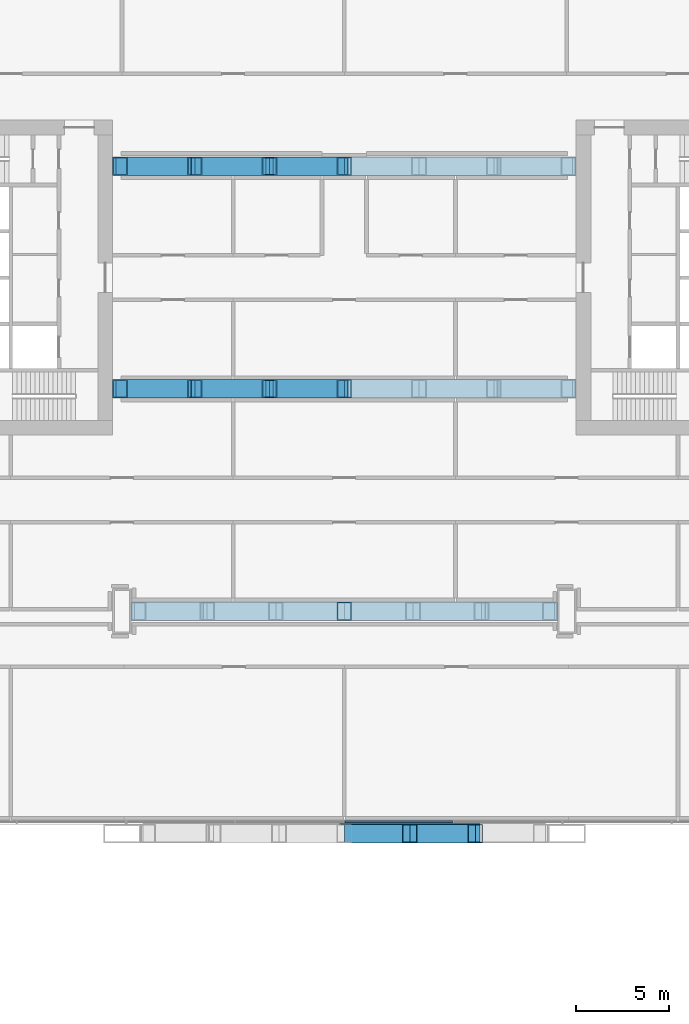
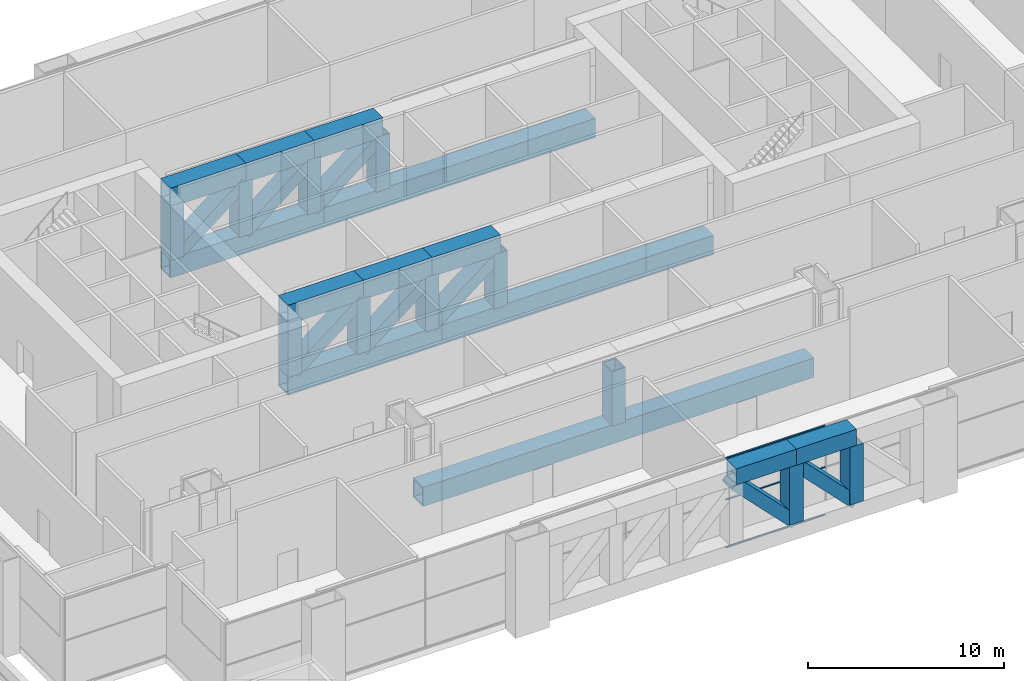
# One storey, part 8 of 27: 22 members, 11 beams, 1 element without a shape of its own.
"""IFC4 building model written with IfcOpenShell, lengths in metres."""

from ifc_helpers import new_model, si_unit, direction, frame, origin, origin_2d, place, context, subcontext, project, spatial, rectangle, hollow_rectangle, extrude, material, material_profile, profile_set, type_object, element, aggregate, save


model = new_model("IFC4")

# Units and contexts
model_context = context("Model", 3, precision=1e-05, world=origin(), true_north=direction((0.0, 1.0)))
body_context = subcontext(model_context, "Body", "Model", "MODEL_VIEW")
ifc_project = project(units=[si_unit("LENGTHUNIT", "METRE"), si_unit("AREAUNIT", "SQUARE_METRE"), si_unit("VOLUMEUNIT", "CUBIC_METRE"), si_unit("PLANEANGLEUNIT", "RADIAN"), si_unit("MASSUNIT", "GRAM", prefix="KILO")], contexts=[model_context])

# Site, building, storey
site_placement = place(None, origin())
site = spatial("IfcSite", under=ifc_project, at=site_placement, CompositionType="ELEMENT")
building_placement = place(site_placement, origin())
building = spatial("IfcBuilding", under=site, at=building_placement, Name="Kitamizu Gate Tower and Museum", CompositionType="ELEMENT")
storey_placement = place(building_placement, frame((0.0, 0.0, 24.0)))
storey = spatial("IfcBuildingStorey", under=building, at=storey_placement, Name="L04", CompositionType="ELEMENT", Elevation=24.0)

# Curtain wall, members
ifc_material_1 = material(Name="Bronze anodised aluminium frame, insulated panels", Category="aluminium")
curtain_wall_type = type_object("IfcCurtainWallType", Name="CURTAIN WALL TYPE F TRANSFER STOREY INSULATED", PredefinedType="NOTDEFINED", material=ifc_material_1)
curtain_wall_placement = place(storey_placement, origin())
curtain_wall = element("IfcCurtainWall", 1, at=curtain_wall_placement, inside=storey, type_object=curtain_wall_type, Name="Curtain wall CW-FI south L04 part 2", PredefinedType="NOTDEFINED")
ifc_material_2 = material(Name="Bronze anodised aluminium", Category="aluminium")
ifc_material_profile_1 = material_profile(ifc_material_2, rectangle(XDim=0.10009765625, YDim=0.06005859375, at=origin_2d()), Name="AL 60X100")
ifc_profile_set_1 = profile_set([ifc_material_profile_1], Name="Bronze anodised aluminium")
member_type_1 = type_object("IfcMemberType", Name="TRANSOM 60 X 100 TYPE F", PredefinedType="USERDEFINED", material=ifc_profile_set_1)
member_1_placement = place(storey_placement, frame((36.02490234375, 0.635009765625, 0.030029296875), z_axis=(1.0, 0.0, 0.0), x_axis=(0.0, 1.0, 0.0)))
member_1 = element("IfcMember", 2, at=member_1_placement, type_object=member_type_1, Name="CW-FI transom 3.1", ObjectType="TRANSOM", PredefinedType="USERDEFINED", context=body_context, shape_type="SweptSolid", body=[
    extrude(rectangle(XDim=0.10009765625, YDim=0.06005859375, at=origin_2d()), origin(), (0.0, 0.0, 1.0), 5.838134765625),
])
member_2_placement = place(storey_placement, frame((36.02490234375, 0.635009765625, 3.0), z_axis=(1.0, 0.0, 0.0), x_axis=(0.0, 1.0, 0.0)))
member_2 = element("IfcMember", 3, at=member_2_placement, type_object=member_type_1, Name="CW-FI transom 3.2", ObjectType="TRANSOM", PredefinedType="USERDEFINED", context=body_context, shape_type="SweptSolid", body=[
    extrude(rectangle(XDim=0.10009765625, YDim=0.06005859375, at=origin_2d()), origin(), (0.0, 0.0, 1.0), 5.838134765625),
])
member_3_placement = place(storey_placement, frame((36.02490234375, 0.635009765625, 5.570068359375), z_axis=(1.0, 0.0, 0.0), x_axis=(0.0, 1.0, 0.0)))
member_3 = element("IfcMember", 4, at=member_3_placement, type_object=member_type_1, Name="CW-FI transom 3.3", ObjectType="TRANSOM", PredefinedType="USERDEFINED", context=body_context, shape_type="SweptSolid", body=[
    extrude(rectangle(XDim=0.10009765625, YDim=0.06005859375, at=origin_2d()), origin(), (0.0, 0.0, 1.0), 5.838134765625),
])
aggregate(curtain_wall, [member_1, member_2, member_3])

# Beams
ifc_material_3 = material(Name="Steel SM490A", Category="steel")
ifc_material_profile_2 = material_profile(ifc_material_3, hollow_rectangle(XDim=1.0, YDim=1.199951171875, WallThickness=0.080078125, at=origin_2d()), Name="BOX 1000x1200x80")
ifc_profile_set_2 = profile_set([ifc_material_profile_2], Name="Steel SM490A")
beam_type_1 = type_object("IfcBeamType", Name="Transfer truss chord TTA1 BOX 1000x1200x80", PredefinedType="BEAM", material=ifc_profile_set_2)
beam_1_placement = place(storey_placement, frame((24.5, 12.0, 0.60009765625), z_axis=(1.0, 0.0, 0.0), x_axis=(0.0, 1.0, 0.0)))
element("IfcBeam", 5, at=beam_1_placement, inside=storey, type_object=beam_type_1, Name="Transfer truss bottom chord y12", PredefinedType="BEAM", context=body_context, shape_type="SweptSolid", body=[
    extrude(hollow_rectangle(XDim=1.0, YDim=1.199951171875, WallThickness=0.080078125, at=origin_2d()), origin(), (0.0, 0.0, 1.0), 23.0),
])
beam_2_placement = place(storey_placement, frame((23.5, 24.0, 5.0), z_axis=(1.0, 0.0, 0.0), x_axis=(0.0, 1.0, 0.0)))
element("IfcBeam", 6, at=beam_2_placement, inside=storey, type_object=beam_type_1, Name="Transfer truss top chord y24-1", PredefinedType="BEAM", context=body_context, shape_type="SweptSolid", body=[
    extrude(hollow_rectangle(XDim=1.0, YDim=1.199951171875, WallThickness=0.080078125, at=origin_2d()), origin(), (0.0, 0.0, 1.0), 4.433349609375),
])
beam_3_placement = place(storey_placement, frame((27.933349609375, 24.0, 5.0), z_axis=(1.0, 0.0, 0.0), x_axis=(0.0, 1.0, 0.0)))
element("IfcBeam", 7, at=beam_3_placement, inside=storey, type_object=beam_type_1, Name="Transfer truss top chord y24-2", PredefinedType="BEAM", context=body_context, shape_type="SweptSolid", body=[
    extrude(hollow_rectangle(XDim=1.0, YDim=1.199951171875, WallThickness=0.080078125, at=origin_2d()), origin(), (0.0, 0.0, 1.0), 4.033203125),
])
beam_4_placement = place(storey_placement, frame((31.966552734375, 24.0, 5.0), z_axis=(1.0, 0.0, 0.0), x_axis=(0.0, 1.0, 0.0)))
element("IfcBeam", 8, at=beam_4_placement, inside=storey, type_object=beam_type_1, Name="Transfer truss top chord y24-3", PredefinedType="BEAM", context=body_context, shape_type="SweptSolid", body=[
    extrude(hollow_rectangle(XDim=1.0, YDim=1.199951171875, WallThickness=0.080078125, at=origin_2d()), origin(), (0.0, 0.0, 1.0), 4.033447265625),
])
beam_5_placement = place(storey_placement, frame((23.5, 24.0, 0.60009765625), z_axis=(1.0, 0.0, 0.0), x_axis=(0.0, 1.0, 0.0)))
element("IfcBeam", 9, at=beam_5_placement, inside=storey, type_object=beam_type_1, Name="Transfer truss bottom chord y24", PredefinedType="BEAM", context=body_context, shape_type="SweptSolid", body=[
    extrude(hollow_rectangle(XDim=1.0, YDim=1.199951171875, WallThickness=0.080078125, at=origin_2d()), origin(), (0.0, 0.0, 1.0), 25.0),
])
beam_6_placement = place(storey_placement, frame((23.5, 36.0, 5.0), z_axis=(1.0, 0.0, 0.0), x_axis=(0.0, 1.0, 0.0)))
element("IfcBeam", 10, at=beam_6_placement, inside=storey, type_object=beam_type_1, Name="Transfer truss top chord y36-1", PredefinedType="BEAM", context=body_context, shape_type="SweptSolid", body=[
    extrude(hollow_rectangle(XDim=1.0, YDim=1.199951171875, WallThickness=0.080078125, at=origin_2d()), origin(), (0.0, 0.0, 1.0), 4.433349609375),
])
beam_7_placement = place(storey_placement, frame((27.933349609375, 36.0, 5.0), z_axis=(1.0, 0.0, 0.0), x_axis=(0.0, 1.0, 0.0)))
element("IfcBeam", 11, at=beam_7_placement, inside=storey, type_object=beam_type_1, Name="Transfer truss top chord y36-2", PredefinedType="BEAM", context=body_context, shape_type="SweptSolid", body=[
    extrude(hollow_rectangle(XDim=1.0, YDim=1.199951171875, WallThickness=0.080078125, at=origin_2d()), origin(), (0.0, 0.0, 1.0), 4.033203125),
])
beam_8_placement = place(storey_placement, frame((31.966552734375, 36.0, 5.0), z_axis=(1.0, 0.0, 0.0), x_axis=(0.0, 1.0, 0.0)))
element("IfcBeam", 12, at=beam_8_placement, inside=storey, type_object=beam_type_1, Name="Transfer truss top chord y36-3", PredefinedType="BEAM", context=body_context, shape_type="SweptSolid", body=[
    extrude(hollow_rectangle(XDim=1.0, YDim=1.199951171875, WallThickness=0.080078125, at=origin_2d()), origin(), (0.0, 0.0, 1.0), 4.033447265625),
])
beam_9_placement = place(storey_placement, frame((23.5, 36.0, 0.60009765625), z_axis=(1.0, 0.0, 0.0), x_axis=(0.0, 1.0, 0.0)))
element("IfcBeam", 13, at=beam_9_placement, inside=storey, type_object=beam_type_1, Name="Transfer truss bottom chord y36", PredefinedType="BEAM", context=body_context, shape_type="SweptSolid", body=[
    extrude(hollow_rectangle(XDim=1.0, YDim=1.199951171875, WallThickness=0.080078125, at=origin_2d()), origin(), (0.0, 0.0, 1.0), 25.0),
])
ifc_material_4 = material(Name="Steel SM490A", Category="steel")
ifc_material_profile_3 = material_profile(ifc_material_4, hollow_rectangle(XDim=1.0, YDim=1.0, WallThickness=0.070068359375, at=origin_2d()), Name="BOX 1000x1000x70")
ifc_profile_set_3 = profile_set([ifc_material_profile_3], Name="Steel SM490A")
beam_type_2 = type_object("IfcBeamType", Name="Transfer truss chord TTB1 BOX 1000x1000x70", PredefinedType="BEAM", material=ifc_profile_set_3)
beam_10_placement = place(storey_placement, frame((36.0, 0.0, 5.10009765625), z_axis=(1.0, 0.0, 0.0), x_axis=(0.0, 1.0, 0.0)))
element("IfcBeam", 14, at=beam_10_placement, inside=storey, type_object=beam_type_2, Name="Transfer truss top chord y00-4", PredefinedType="BEAM", context=body_context, shape_type="SweptSolid", body=[
    extrude(hollow_rectangle(XDim=1.0, YDim=1.0, WallThickness=0.070068359375, at=origin_2d()), origin(), (0.0, 0.0, 1.0), 3.533447265625),
])
beam_11_placement = place(storey_placement, frame((39.533447265625, 0.0, 5.10009765625), z_axis=(1.0, 0.0, 0.0), x_axis=(0.0, 1.0, 0.0)))
element("IfcBeam", 15, at=beam_11_placement, inside=storey, type_object=beam_type_2, Name="Transfer truss top chord y00-5", PredefinedType="BEAM", context=body_context, shape_type="SweptSolid", body=[
    extrude(hollow_rectangle(XDim=1.0, YDim=1.0, WallThickness=0.070068359375, at=origin_2d()), origin(), (0.0, 0.0, 1.0), 3.533203125),
])

# Members
ifc_material_5 = material(Name="Steel SM490A", Category="steel")
ifc_material_profile_4 = material_profile(ifc_material_5, hollow_rectangle(XDim=1.0, YDim=0.699951171875, WallThickness=0.055908203125, at=origin_2d()), Name="BOX 1000x700x56")
ifc_profile_set_4 = profile_set([ifc_material_profile_4], Name="Steel SM490A")
member_type_2 = type_object("IfcMemberType", Name="Transfer truss diagonal TTA2 BOX 1000x700x56", PredefinedType="BRACE", material=ifc_profile_set_4)
member_4_placement = place(storey_placement, frame((23.89990234375, 24.0, 1.199951171875), z_axis=(0.783402140456, 0.0, 0.621515153741), x_axis=(0.0, 1.0, 0.0)))
element("IfcMember", 16, at=member_4_placement, inside=storey, type_object=member_type_2, Name="Transfer truss diagonal y24-1", PredefinedType="BRACE", context=body_context, shape_type="SweptSolid", body=[
    extrude(hollow_rectangle(XDim=1.0, YDim=0.699951171875, WallThickness=0.055908203125, at=origin_2d()), origin(), (0.0, 0.0, 1.0), 5.148681640625),
])
member_5_placement = place(storey_placement, frame((27.933349609375, 24.0, 1.199951171875), z_axis=(0.78338382254, 0.0, 0.621538242253), x_axis=(0.0, 1.0, 0.0)))
element("IfcMember", 17, at=member_5_placement, inside=storey, type_object=member_type_2, Name="Transfer truss diagonal y24-2", PredefinedType="BRACE", context=body_context, shape_type="SweptSolid", body=[
    extrude(hollow_rectangle(XDim=1.0, YDim=0.699951171875, WallThickness=0.055908203125, at=origin_2d()), origin(), (0.0, 0.0, 1.0), 5.1484375),
])
for number, where, z_axis, x_axis, name in (
    (18, (31.966552734375, 24.0, 1.199951171875), (0.783402140456, 0.0, 0.621515153741), (0.0, 1.0, 0.0), "Transfer truss diagonal y24-3"),
    (19, (23.89990234375, 36.0, 1.199951171875), (0.783402140456, 0.0, 0.621515153741), (0.0, 1.0, 0.0), "Transfer truss diagonal y36-1"),
):
    element("IfcMember", number, at=place(storey_placement, frame(where, z_axis=z_axis, x_axis=x_axis)), inside=storey, type_object=member_type_2, Name=name, PredefinedType="BRACE", context=body_context, shape_type="SweptSolid", body=[
        extrude(hollow_rectangle(XDim=1.0, YDim=0.699951171875, WallThickness=0.055908203125, at=origin_2d()), origin(), (0.0, 0.0, 1.0), 5.148681640625),
    ])
member_6_placement = place(storey_placement, frame((27.933349609375, 36.0, 1.199951171875), z_axis=(0.78338382254, 0.0, 0.621538242253), x_axis=(0.0, 1.0, 0.0)))
element("IfcMember", 20, at=member_6_placement, inside=storey, type_object=member_type_2, Name="Transfer truss diagonal y36-2", PredefinedType="BRACE", context=body_context, shape_type="SweptSolid", body=[
    extrude(hollow_rectangle(XDim=1.0, YDim=0.699951171875, WallThickness=0.055908203125, at=origin_2d()), origin(), (0.0, 0.0, 1.0), 5.1484375),
])
member_7_placement = place(storey_placement, frame((31.966552734375, 36.0, 1.199951171875), z_axis=(0.783402140456, 0.0, 0.621515153741), x_axis=(0.0, 1.0, 0.0)))
element("IfcMember", 21, at=member_7_placement, inside=storey, type_object=member_type_2, Name="Transfer truss diagonal y36-3", PredefinedType="BRACE", context=body_context, shape_type="SweptSolid", body=[
    extrude(hollow_rectangle(XDim=1.0, YDim=0.699951171875, WallThickness=0.055908203125, at=origin_2d()), origin(), (0.0, 0.0, 1.0), 5.148681640625),
])
ifc_material_6 = material(Name="Steel SM490A", Category="steel")
ifc_material_profile_5 = material_profile(ifc_material_6, hollow_rectangle(XDim=1.0, YDim=0.699951171875, WallThickness=0.044921875, at=origin_2d()), Name="BOX 1000x700x45")
ifc_profile_set_5 = profile_set([ifc_material_profile_5], Name="Steel SM490A")
member_type_3 = type_object("IfcMemberType", Name="Transfer truss diagonal TTB2 BOX 1000x700x45", PredefinedType="BRACE", material=ifc_profile_set_5)
member_8_placement = place(storey_placement, frame((39.533447265625, 0.044921875, 1.0), z_axis=(-0.700469542515, 0.0, 0.71368229627), x_axis=(0.0, -1.0, 0.0)))
element("IfcMember", 22, at=member_8_placement, inside=storey, type_object=member_type_3, Name="Transfer truss diagonal y00-4", PredefinedType="BRACE", context=body_context, shape_type="SweptSolid", body=[
    extrude(hollow_rectangle(XDim=1.0, YDim=0.699951171875, WallThickness=0.044921875, at=origin_2d()), origin(), (0.0, 0.0, 1.0), 5.04443359375),
])
member_9_placement = place(storey_placement, frame((43.066650390625, 0.044921875, 1.0), z_axis=(-0.70044488992, 0.0, 0.713706491623), x_axis=(0.0, -1.0, 0.0)))
element("IfcMember", 23, at=member_9_placement, inside=storey, type_object=member_type_3, Name="Transfer truss diagonal y00-5", PredefinedType="BRACE", context=body_context, shape_type="SweptSolid", body=[
    extrude(hollow_rectangle(XDim=1.0, YDim=0.699951171875, WallThickness=0.044921875, at=origin_2d()), origin(), (0.0, 0.0, 1.0), 5.044189453125),
])
ifc_material_7 = material(Name="Steel SM490A", Category="steel")
ifc_material_profile_6 = material_profile(ifc_material_7, hollow_rectangle(XDim=0.800048828125, YDim=1.0, WallThickness=0.055908203125, at=origin_2d()), Name="BOX 800x1000x56")
ifc_profile_set_6 = profile_set([ifc_material_profile_6], Name="Steel SM490A")
member_type_4 = type_object("IfcMemberType", Name="Transfer truss post TTA3 BOX 800x1000x56", PredefinedType="POST", material=ifc_profile_set_6)
for number, where, z_axis, x_axis, name in (
    (24, (36.0, 12.0, 1.10009765625), (0.0, 0.0, 1.0), (1.0, 0.0, 0.0), "Transfer truss post y12-4"),
    (25, (23.89990234375, 24.0, 1.10009765625), (0.0, 0.0, 1.0), (1.0, 0.0, 0.0), "Transfer truss post y24-1"),
    (26, (27.933349609375, 24.0, 1.10009765625), (0.0, 0.0, 1.0), (1.0, 0.0, 0.0), "Transfer truss post y24-2"),
    (27, (31.966552734375, 24.0, 1.10009765625), (0.0, 0.0, 1.0), (1.0, 0.0, 0.0), "Transfer truss post y24-3"),
    (28, (36.0, 24.0, 1.10009765625), (0.0, 0.0, 1.0), (1.0, 0.0, 0.0), "Transfer truss post y24-4"),
    (29, (23.89990234375, 36.0, 1.10009765625), (0.0, 0.0, 1.0), (1.0, 0.0, 0.0), "Transfer truss post y36-1"),
    (30, (27.933349609375, 36.0, 1.10009765625), (0.0, 0.0, 1.0), (1.0, 0.0, 0.0), "Transfer truss post y36-2"),
    (31, (31.966552734375, 36.0, 1.10009765625), (0.0, 0.0, 1.0), (1.0, 0.0, 0.0), "Transfer truss post y36-3"),
    (32, (36.0, 36.0, 1.10009765625), (0.0, 0.0, 1.0), (1.0, 0.0, 0.0), "Transfer truss post y36-4"),
):
    element("IfcMember", number, at=place(storey_placement, frame(where, z_axis=z_axis, x_axis=x_axis)), inside=storey, type_object=member_type_4, Name=name, PredefinedType="POST", context=body_context, shape_type="SweptSolid", body=[
        extrude(hollow_rectangle(XDim=0.800048828125, YDim=1.0, WallThickness=0.055908203125, at=origin_2d()), origin(), (0.0, 0.0, 1.0), 3.39990234375),
    ])
ifc_material_8 = material(Name="Steel SM490A", Category="steel")
ifc_material_profile_7 = material_profile(ifc_material_8, hollow_rectangle(XDim=0.800048828125, YDim=1.0, WallThickness=0.044921875, at=origin_2d()), Name="BOX 800x1000x45")
ifc_profile_set_7 = profile_set([ifc_material_profile_7], Name="Steel SM490A")
member_type_5 = type_object("IfcMemberType", Name="Transfer truss post TTB3 BOX 800x1000x45", PredefinedType="POST", material=ifc_profile_set_7)
for number, where, z_axis, x_axis, name in (
    (33, (39.533447265625, 0.0, 1.0), (0.0, 0.0, 1.0), (1.0, 0.0, 0.0), "Transfer truss post y00-5"),
    (34, (43.066650390625, 0.0, 1.0), (0.0, 0.0, 1.0), (1.0, 0.0, 0.0), "Transfer truss post y00-6"),
):
    element("IfcMember", number, at=place(storey_placement, frame(where, z_axis=z_axis, x_axis=x_axis)), inside=storey, type_object=member_type_5, Name=name, PredefinedType="POST", context=body_context, shape_type="SweptSolid", body=[
        extrude(hollow_rectangle(XDim=0.800048828125, YDim=1.0, WallThickness=0.044921875, at=origin_2d()), origin(), (0.0, 0.0, 1.0), 3.60009765625),
    ])

save(model, "model.ifc")
